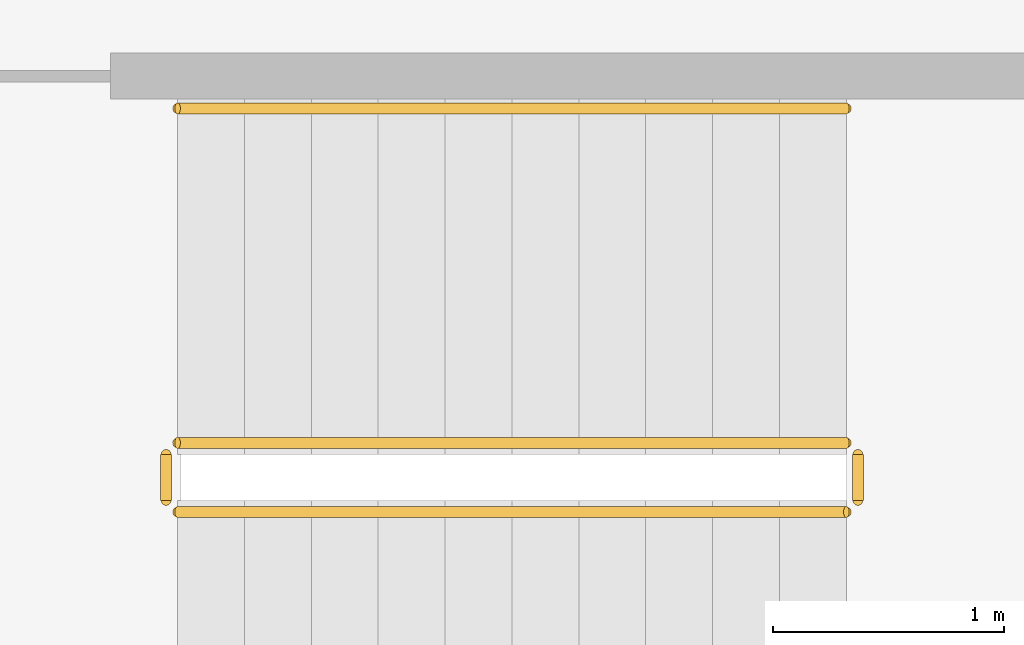
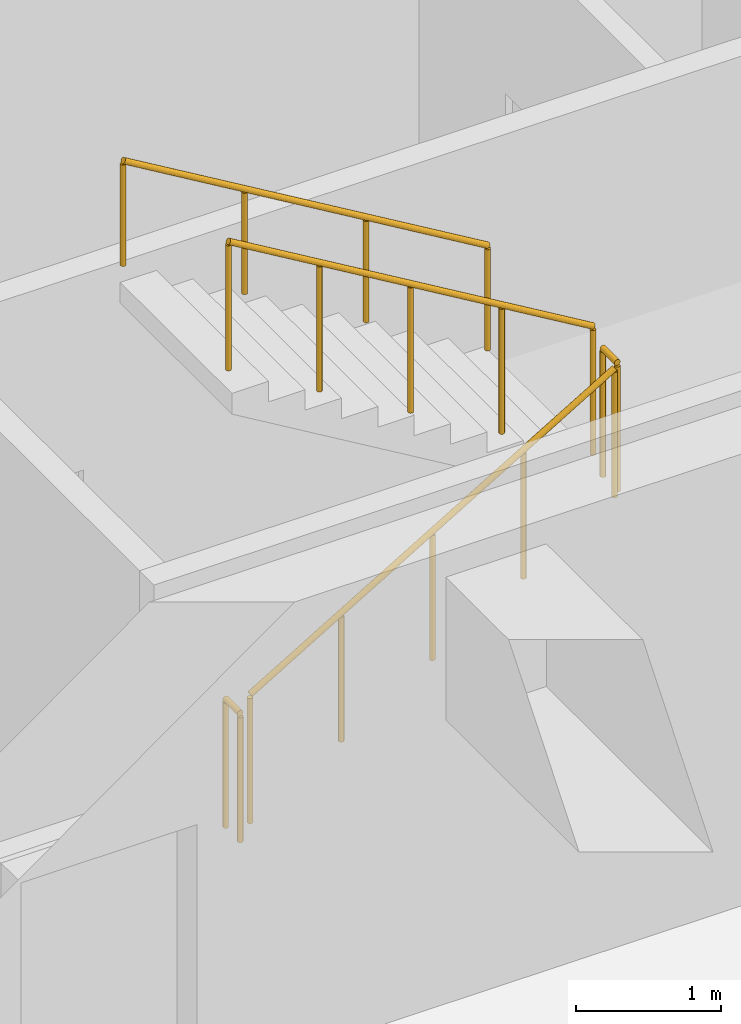
# One storey, part 23 of 24: 5 railings.
"""IFC4 building model written with IfcOpenShell, lengths in metres."""

from ifc_helpers import new_model, si_unit, direction, frame, origin, origin_2d, place, context, subcontext, project, spatial, circle, extrude, material, type_object, element, save


model = new_model("IFC4")

# Units and contexts
model_context = context("Model", 3, precision=1e-05, world=origin(), true_north=direction((0.0, 1.0)))
body_context = subcontext(model_context, "Body", "Model", "MODEL_VIEW")
ifc_project = project(units=[si_unit("LENGTHUNIT", "METRE"), si_unit("AREAUNIT", "SQUARE_METRE"), si_unit("VOLUMEUNIT", "CUBIC_METRE"), si_unit("PLANEANGLEUNIT", "RADIAN"), si_unit("MASSUNIT", "GRAM", prefix="KILO")], contexts=[model_context])

# Site, building, storey
site_placement = place(None, origin())
site = spatial("IfcSite", under=ifc_project, at=site_placement, CompositionType="ELEMENT")
building_placement = place(site_placement, origin())
building = spatial("IfcBuilding", under=site, at=building_placement, Name="Putna Gate Headquarters", CompositionType="ELEMENT")
storey_placement = place(building_placement, frame((0.0, 0.0, 251.800048828125)))
storey = spatial("IfcBuildingStorey", under=building, at=storey_placement, Name="L63", CompositionType="ELEMENT", Elevation=251.800048828125)

# Railings
ifc_material_1 = material(Name="Powder-coated steel stair guardrail", Category="steel")
railing_type_1 = type_object("IfcRailingType", Name="RAIL-STAIR-GUARD-1100", PredefinedType="GUARDRAIL", material=ifc_material_1)
railing_1_placement = place(storey_placement, frame((57.89990234375, 21.10009765625, 0.172607421875)))
element("IfcRailing", 1, at=railing_1_placement, inside=storey, type_object=railing_type_1, Name="L63 ST2 stair guard 1", PredefinedType="GUARDRAIL", context=body_context, shape_type="SweptSolid", body=[
    extrude(circle(Radius=0.02392578125, at=origin_2d()), frame((0.0, 0.0, 1.076171875), z_axis=(0.859160404282, 0.0, 0.51170636083), x_axis=(0.0, 1.0, 0.0)), (0.0, 0.0, 1.0), 3.37548828125),
    extrude(circle(Radius=0.02099609375, at=origin_2d()), origin(), (0.0, 0.0, 1.0), 1.052001953125),
    extrude(circle(Radius=0.02099609375, at=origin_2d()), frame((0.72509765625, 0.0, 0.431884765625)), (0.0, 0.0, 1.0), 1.052001953125),
    extrude(circle(Radius=0.02099609375, at=origin_2d()), frame((1.4501953125, 0.0, 0.86376953125)), (0.0, 0.0, 1.0), 1.052001953125),
    extrude(circle(Radius=0.02099609375, at=origin_2d()), frame((2.175048828125, 0.0, 1.29541015625)), (0.0, 0.0, 1.0), 1.052001953125),
    extrude(circle(Radius=0.02099609375, at=origin_2d()), frame((2.900146484375, 0.0, 1.727294921875)), (0.0, 0.0, 1.0), 1.052001953125),
])
railing_2_placement = place(storey_placement, frame((60.85009765625, 21.14990234375, 1.89990234375)))
element("IfcRailing", 2, at=railing_2_placement, inside=storey, type_object=railing_type_1, Name="L63 ST2 stair guard 2", PredefinedType="GUARDRAIL", context=body_context, shape_type="SweptSolid", body=[
    extrude(circle(Radius=0.02392578125, at=origin_2d()), frame((0.0, 0.0, 1.076171875), z_axis=(0.0, 1.0, 0.0), x_axis=(-1.0, 0.0, 0.0)), (0.0, 0.0, 1.0), 0.2001953125),
    extrude(circle(Radius=0.02099609375, at=origin_2d()), origin(), (0.0, 0.0, 1.0), 1.052001953125),
    extrude(circle(Radius=0.02099609375, at=origin_2d()), frame((0.0, 0.2001953125, 0.0)), (0.0, 0.0, 1.0), 1.052001953125),
])
railing_3_placement = place(storey_placement, frame((60.800048828125, 21.39990234375, 2.07275390625)))
element("IfcRailing", 3, at=railing_3_placement, inside=storey, type_object=railing_type_1, Name="L63 ST2 stair guard 3", PredefinedType="GUARDRAIL", context=body_context, shape_type="SweptSolid", body=[
    extrude(circle(Radius=0.02392578125, at=origin_2d()), frame((0.0, 0.0, 1.076171875), z_axis=(-0.859160404282, 0.0, 0.51170636083), x_axis=(0.0, -1.0, 0.0)), (0.0, 0.0, 1.0), 3.37548828125),
    extrude(circle(Radius=0.02099609375, at=origin_2d()), origin(), (0.0, 0.0, 1.0), 1.052001953125),
    extrude(circle(Radius=0.02099609375, at=origin_2d()), frame((-0.72509765625, 0.0, 0.431884765625)), (0.0, 0.0, 1.0), 1.052001953125),
    extrude(circle(Radius=0.02099609375, at=origin_2d()), frame((-1.4501953125, 0.0, 0.86376953125)), (0.0, 0.0, 1.0), 1.052001953125),
    extrude(circle(Radius=0.02099609375, at=origin_2d()), frame((-2.175048828125, 0.0, 1.29541015625)), (0.0, 0.0, 1.0), 1.052001953125),
    extrude(circle(Radius=0.02099609375, at=origin_2d()), frame((-2.900146484375, 0.0, 1.727294921875)), (0.0, 0.0, 1.0), 1.052001953125),
])
railing_4_placement = place(storey_placement, frame((57.85009765625, 21.14990234375, 0.0)))
element("IfcRailing", 4, at=railing_4_placement, inside=storey, type_object=railing_type_1, Name="L63 ST2 stair guard 4", PredefinedType="GUARDRAIL", context=body_context, shape_type="SweptSolid", body=[
    extrude(circle(Radius=0.02392578125, at=origin_2d()), frame((0.0, 0.0, 1.076171875), z_axis=(0.0, 1.0, 0.0), x_axis=(-1.0, 0.0, 0.0)), (0.0, 0.0, 1.0), 0.2001953125),
    extrude(circle(Radius=0.02099609375, at=origin_2d()), origin(), (0.0, 0.0, 1.0), 1.052001953125),
    extrude(circle(Radius=0.02099609375, at=origin_2d()), frame((0.0, 0.2001953125, 0.0)), (0.0, 0.0, 1.0), 1.052001953125),
])
ifc_material_2 = material(Name="Brushed stainless steel handrail", Category="steel")
railing_type_2 = type_object("IfcRailingType", Name="RAIL-STAIR-HAND-900", PredefinedType="HANDRAIL", material=ifc_material_2)
railing_5_placement = place(storey_placement, frame((60.800048828125, 22.85009765625, 2.07275390625)))
element("IfcRailing", 5, at=railing_5_placement, inside=storey, type_object=railing_type_2, Name="L63 ST2 stair handrail 2", PredefinedType="HANDRAIL", context=body_context, shape_type="SweptSolid", body=[
    extrude(circle(Radius=0.02392578125, at=origin_2d()), frame((0.0, 0.0, 0.8759765625), z_axis=(-0.859160404282, 0.0, 0.51170636083), x_axis=(0.0, -1.0, 0.0)), (0.0, 0.0, 1.0), 3.37548828125),
    extrude(circle(Radius=0.02099609375, at=origin_2d()), origin(), (0.0, 0.0, 1.0), 0.851806640625),
    extrude(circle(Radius=0.02099609375, at=origin_2d()), frame((-0.966796875, 0.0, 0.57568359375)), (0.0, 0.0, 1.0), 0.851806640625),
    extrude(circle(Radius=0.02099609375, at=origin_2d()), frame((-1.933349609375, 0.0, 1.151611328125)), (0.0, 0.0, 1.0), 0.851806640625),
    extrude(circle(Radius=0.02099609375, at=origin_2d()), frame((-2.900146484375, 0.0, 1.727294921875)), (0.0, 0.0, 1.0), 0.851806640625),
])

save(model, "model.ifc")
